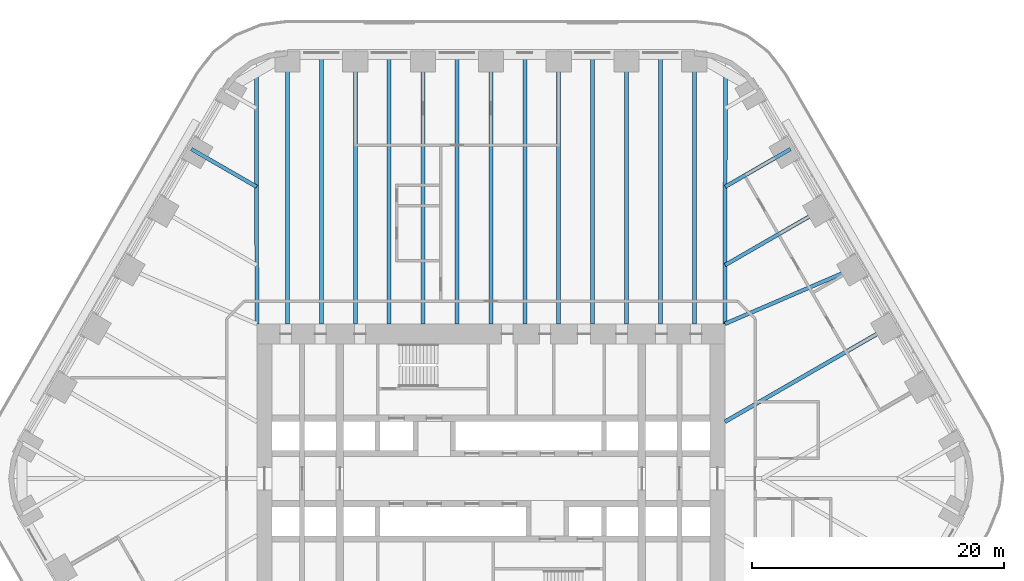
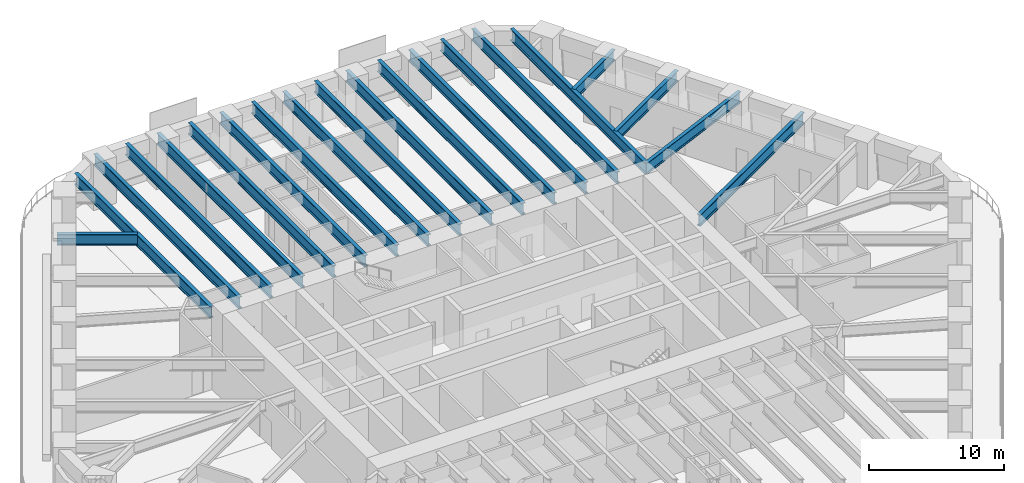
# One storey, part 10 of 24: 20 beams.
"""IFC4 building model written with IfcOpenShell, lengths in metres."""

import ifcopenshell
import ifcopenshell.guid

model = None  # the IFC model being written
_history = None  # IfcOwnerHistory: only IFC2X3 demands one
_inside = {}  # id of a spatial element -> (the spatial element, [elements in it])
_under = {}  # id of a project, library or spatial element -> (it, [spatial elements below it])
_declared = {}  # id of a project -> (the project, [libraries it declares])
_typed = {}  # id of a type object -> (the type object, [elements of that type])
_made_of = {}  # id of a material, layer set ... -> (it, [elements and type objects made of it])


def new_model(schema):
    """Start an empty IFC model of exactly this schema.

    Asked for "IFC4X3", IfcOpenShell would pick the latest addendum, in which some entities
    have other attributes; the version numbers below select the first issue.
    IFC2X3 requires an IfcOwnerHistory on every rooted entity: one is made here for all.
    """
    global model, _history
    if schema == "IFC4X3":
        model = ifcopenshell.file(schema_version=(4, 3, 0, 0))
    else:
        model = ifcopenshell.file(schema=schema)
    _inside.clear()
    _under.clear()
    _declared.clear()
    _typed.clear()
    _made_of.clear()
    _history = None
    if model.schema == "IFC2X3":
        org = make("IfcOrganization", Name="unknown")
        user = make(
            "IfcPersonAndOrganization",
            ThePerson=make("IfcPerson", FamilyName="unknown"),
            TheOrganization=org,
        )
        app = make(
            "IfcApplication",
            ApplicationDeveloper=org,
            Version="unknown",
            ApplicationFullName="unknown",
            ApplicationIdentifier="unknown",
        )
        _history = make(
            "IfcOwnerHistory",
            OwningUser=user,
            OwningApplication=app,
            ChangeAction="ADDED",
            CreationDate=0,
        )
    return model


def make(cls, **values):
    """One entity of the class cls with the attributes given. An attribute that is None is left unset."""
    return model.create_entity(
        cls, **{name: value for name, value in values.items() if value is not None}
    )


def rooted(cls, **values):
    """An entity with a GlobalId (a new one), such as an element, a storey or a relation."""
    return make(cls, GlobalId=ifcopenshell.guid.new(), OwnerHistory=_history, **values)


def si_unit(unit_type, name, prefix=None):
    """IfcSIUnit, for example si_unit("LENGTHUNIT", "METRE", prefix="MILLI")."""
    return make("IfcSIUnit", UnitType=unit_type, Prefix=prefix, Name=name)


def assignment(units):
    """IfcUnitAssignment: the units of a project."""
    return None if units is None else make("IfcUnitAssignment", Units=units)


def point(xyz):
    """IfcCartesianPoint."""
    return None if xyz is None else make("IfcCartesianPoint", Coordinates=xyz)


def direction(xyz):
    """IfcDirection."""
    return None if xyz is None else make("IfcDirection", DirectionRatios=xyz)


def frame(location, z_axis=None, x_axis=None):
    """IfcAxis2Placement3D, a coordinate frame: its origin and axes. An axis left out is left unset."""
    return make(
        "IfcAxis2Placement3D",
        Location=point(location),
        Axis=direction(z_axis),
        RefDirection=direction(x_axis),
    )


def frame_2d(location, x_axis=None):
    """IfcAxis2Placement2D, a coordinate frame in the plane: its origin and x axis."""
    return make(
        "IfcAxis2Placement2D", Location=point(location), RefDirection=direction(x_axis)
    )


def origin():
    """The frame at (0, 0, 0) with its axes left unset."""
    return frame((0.0, 0.0, 0.0))


def origin_2d():
    """The frame at (0, 0) in the plane with its x axis left unset."""
    return frame_2d((0.0, 0.0))


def place(relative_to, where):
    """IfcLocalPlacement: puts the frame where relative to a parent placement (None: the world)."""
    return make(
        "IfcLocalPlacement", PlacementRelTo=relative_to, RelativePlacement=where
    )


def context(
    kind, dimensions, precision=None, world=None, true_north=None, identifier=None
):
    """IfcGeometricRepresentationContext, for example the 3D "Model" context."""
    return make(
        "IfcGeometricRepresentationContext",
        ContextIdentifier=identifier,
        ContextType=kind,
        CoordinateSpaceDimension=dimensions,
        Precision=precision,
        WorldCoordinateSystem=world,
        TrueNorth=true_north,
    )


def subcontext(parent, identifier, kind, view, scale=None):
    """IfcGeometricRepresentationSubContext, for example "Body" below "Model"."""
    return make(
        "IfcGeometricRepresentationSubContext",
        ContextIdentifier=identifier,
        ContextType=kind,
        ParentContext=parent,
        TargetScale=scale,
        TargetView=view,
    )


def project(units=None, contexts=None):
    """IfcProject with its units and contexts."""
    return rooted(
        "IfcProject",
        Name="project",
        RepresentationContexts=contexts,
        UnitsInContext=assignment(units),
    )


def spatial(cls, under=None, at=None, **own):
    """A site, building, storey or space (cls), placed at a placement, below another one or the project."""
    s = rooted(cls, ObjectPlacement=at, **own)
    if under is not None:
        _under.setdefault(under.id(), (under, []))[1].append(s)
    return s


def profile(cls, at=None, kind="AREA", **sizes):
    """A parametric profile (cls). Its sizes go by their IFC names, for example OverallWidth=200.0."""
    return make(cls, ProfileType=kind, Position=at, **sizes)


def i_section(**sizes):
    """IfcIShapeProfileDef."""
    return profile("IfcIShapeProfileDef", **sizes)


def extrude(swept, where, along, depth):
    """IfcExtrudedAreaSolid: the profile swept, set in the frame where, extruded along a direction by depth."""
    return make(
        "IfcExtrudedAreaSolid",
        SweptArea=swept,
        Position=where,
        ExtrudedDirection=direction(along),
        Depth=depth,
    )


def shape(context_of_items, identifier, shape_type, items):
    """IfcShapeRepresentation: the items that make up one representation, for example the "Body"."""
    return make(
        "IfcShapeRepresentation",
        ContextOfItems=context_of_items,
        RepresentationIdentifier=identifier,
        RepresentationType=shape_type,
        Items=items,
    )


def material(Name=None, Category=None):
    """IfcMaterial."""
    return make("IfcMaterial", Name=Name, Category=Category)


def material_profile(
    of_material, cross_section, Name=None, Category=None, Priority=None
):
    """IfcMaterialProfile: a cross section and its material."""
    return make(
        "IfcMaterialProfile",
        Name=Name,
        Material=of_material,
        Profile=cross_section,
        Priority=Priority,
        Category=Category,
    )


def profile_set(profiles, Name=None, composite=None):
    """IfcMaterialProfileSet."""
    return make(
        "IfcMaterialProfileSet",
        Name=Name,
        MaterialProfiles=profiles,
        CompositeProfile=composite,
    )


def made_of(thing, what):
    """Note that an element or type object is made of a material, layer set ...; save() writes the relation."""
    if what is not None:
        _made_of.setdefault(what.id(), (what, []))[1].append(thing)
    return thing


def type_object(cls, material=None, **own):
    """A type object (cls), such as IfcWallType, which elements share."""
    return made_of(rooted(cls, **own), material)


def element(
    cls,
    number,
    at=None,
    inside=None,
    cuts=None,
    type_object=None,
    material=None,
    context=None,
    identifier="Body",
    shape_type=None,
    held_by="IfcProductDefinitionShape",
    body=None,
    shapes=None,
    **own,
):
    """One element of the class cls, such as IfcWall. Its Tag is "e" and its number.

    at: its placement. inside: the storey or other place that contains it. cuts: it is an
    opening in that element (IfcRelVoidsElement). A single representation is given by context,
    identifier, shape_type and body (its items); several are given by shapes. held_by: the class
    of the entity that holds the representations. save() writes the other relations.
    """
    e = rooted(cls, Tag="e%d" % number, ObjectPlacement=at, **own)
    if body is not None:
        shapes = [shape(context, identifier, shape_type, body)]
    if shapes is not None:
        e.Representation = make(held_by, Representations=shapes)
    if inside is not None:
        _inside.setdefault(inside.id(), (inside, []))[1].append(e)
    if cuts is not None:
        rooted(
            "IfcRelVoidsElement", RelatingBuildingElement=cuts, RelatedOpeningElement=e
        )
    if type_object is not None:
        _typed.setdefault(type_object.id(), (type_object, []))[1].append(e)
    return made_of(e, material)


def aggregate(whole, parts):
    """IfcRelAggregates: a whole, such as a stair, and the parts it consists of."""
    return rooted("IfcRelAggregates", RelatingObject=whole, RelatedObjects=parts)


def save(model, path):
    """Write the relations noted so far, then the file.

    IfcRelAggregates (storeys below a building ...), IfcRelContainedInSpatialStructure (elements
    in a storey), IfcRelDefinesByType, IfcRelAssociatesMaterial and IfcRelDeclares: one each for
    every whole, place, type object, material and project.
    """
    for whole, parts in _under.values():
        aggregate(whole, parts)
    for where, things in _inside.values():
        rooted(
            "IfcRelContainedInSpatialStructure",
            RelatedElements=things,
            RelatingStructure=where,
        )
    for kind, things in _typed.values():
        rooted("IfcRelDefinesByType", RelatedObjects=things, RelatingType=kind)
    for what, things in _made_of.values():
        rooted("IfcRelAssociatesMaterial", RelatedObjects=things, RelatingMaterial=what)
    for by, libraries in _declared.values():
        rooted("IfcRelDeclares", RelatingContext=by, RelatedDefinitions=libraries)
    model.write(path)


model = new_model("IFC4")

# Units and contexts
model_context = context("Model", 3, precision=1e-05, world=origin(), true_north=direction((0.0, 1.0)))
body_context = subcontext(model_context, "Body", "Model", "MODEL_VIEW")
ifc_project = project(units=[si_unit("LENGTHUNIT", "METRE"), si_unit("AREAUNIT", "SQUARE_METRE"), si_unit("VOLUMEUNIT", "CUBIC_METRE"), si_unit("PLANEANGLEUNIT", "RADIAN"), si_unit("MASSUNIT", "GRAM", prefix="KILO")], contexts=[model_context])

# Site, building, storey
site_placement = place(None, origin())
site = spatial("IfcSite", under=ifc_project, at=site_placement, CompositionType="ELEMENT")
building_placement = place(site_placement, origin())
building = spatial("IfcBuilding", under=site, at=building_placement, Name="Tarfa Lantern Tower", CompositionType="ELEMENT")
storey_placement = place(building_placement, frame((0.0, 0.0, 73.89990234375)))
storey = spatial("IfcBuildingStorey", under=building, at=storey_placement, Name="L16", CompositionType="ELEMENT", Elevation=73.89990234375)

# Beams
ifc_material = material(Name="Steel S460M", Category="steel")
ifc_material_profile_1 = material_profile(ifc_material, i_section(OverallWidth=0.302001953125, OverallDepth=1.008056640625, WebThickness=0.02099609375, FlangeThickness=0.0400390625, FilletRadius=0.030029296875, at=origin_2d()), Name="UB1016x305x349")
ifc_profile_set_1 = profile_set([ifc_material_profile_1], Name="Steel S460M")
beam_type_1 = type_object("IfcBeamType", Name="UB1016x305x349", PredefinedType="BEAM", material=ifc_profile_set_1)
beam_1_placement = place(storey_placement, frame((29.202392578125, 16.860107421875, 3.49609375), z_axis=(-0.918635483867, -0.395106122175, 0.0), x_axis=(0.395106122175, -0.918635483867, 0.0)))
element("IfcBeam", 1, at=beam_1_placement, inside=storey, type_object=beam_type_1, Name="Floor beam NE3", PredefinedType="BEAM", context=body_context, shape_type="SweptSolid", body=[
    extrude(i_section(OverallWidth=0.302001953125, OverallDepth=1.008056640625, WebThickness=0.02099609375, FlangeThickness=0.0400390625, FilletRadius=0.030029296875, at=origin_2d()), origin(), (0.0, 0.0, 1.0), 11.541259765625),
])
beam_2_placement = place(storey_placement, frame((26.508056640625, 21.526611328125, 3.49609375), z_axis=(-0.866035355799, -0.49998276221, 0.0), x_axis=(0.49998276221, -0.866035355799, 0.0)))
element("IfcBeam", 2, at=beam_2_placement, inside=storey, type_object=beam_type_1, Name="Floor beam NE4", PredefinedType="BEAM", context=body_context, shape_type="SweptSolid", body=[
    extrude(i_section(OverallWidth=0.302001953125, OverallDepth=1.008056640625, WebThickness=0.02099609375, FlangeThickness=0.0400390625, FilletRadius=0.030029296875, at=origin_2d()), origin(), (0.0, 0.0, 1.0), 9.119873046875),
])
for number, where, z_axis, x_axis, name in (
    (3, (23.813720703125, 26.193359375, 3.49609375), (-0.866015997389, -0.500016292001, 0.0), (0.500016292001, -0.866015997389, 0.0), "Floor beam NE5"),
    (4, (-23.813720703125, 26.193359375, 3.49609375), (0.866015997389, -0.500016292001, 0.0), (0.500016292001, 0.866015997389, 0.0), "Floor beam NW1"),
):
    element("IfcBeam", number, at=place(storey_placement, frame(where, z_axis=z_axis, x_axis=x_axis)), inside=storey, type_object=beam_type_1, Name=name, PredefinedType="BEAM", context=body_context, shape_type="SweptSolid", body=[
        extrude(i_section(OverallWidth=0.302001953125, OverallDepth=1.008056640625, WebThickness=0.02099609375, FlangeThickness=0.0400390625, FilletRadius=0.030029296875, at=origin_2d()), origin(), (0.0, 0.0, 1.0), 5.993408203125),
    ])
ifc_material_profile_2 = material_profile(ifc_material, i_section(OverallWidth=0.314208984375, OverallDepth=1.055908203125, WebThickness=0.035888671875, FlangeThickness=0.06396484375, FilletRadius=0.030029296875, at=origin_2d()), Name="UB1016x305x584")
ifc_profile_set_2 = profile_set([ifc_material_profile_2], Name="Steel S460M")
beam_type_2 = type_object("IfcBeamType", Name="UB1016x305x584", PredefinedType="BEAM", material=ifc_profile_set_2)
for number, where, z_axis, x_axis, name in (
    (5, (18.60009765625, 12.300048828125, 3.47216796875), (0.00212508222, 0.99999774201, 0.0), (-0.99999774201, 0.00212508222, 0.0), "Hip girder NE"),
    (6, (-18.60009765625, 12.300048828125, 3.47216796875), (-0.00212508222, 0.99999774201, 0.0), (-0.99999774201, -0.00212508222, 0.0), "Hip girder NW"),
):
    element("IfcBeam", number, at=place(storey_placement, frame(where, z_axis=z_axis, x_axis=x_axis)), inside=storey, type_object=beam_type_2, Name=name, PredefinedType="BEAM", context=body_context, shape_type="SweptSolid", body=[
        extrude(i_section(OverallWidth=0.314208984375, OverallDepth=1.055908203125, WebThickness=0.035888671875, FlangeThickness=0.06396484375, FilletRadius=0.030029296875, at=origin_2d()), origin(), (0.0, 0.0, 1.0), 19.989990234375),
    ])
beam_3_placement = place(storey_placement, frame((31.896728515625, 12.193359375, 3.47216796875), z_axis=(-0.866026971665, -0.499997284341, 0.0), x_axis=(0.499997284341, -0.866026971665, 0.0)))
element("IfcBeam", 7, at=beam_3_placement, inside=storey, type_object=beam_type_2, Name="Floor beam NE2", PredefinedType="BEAM", context=body_context, shape_type="SweptSolid", body=[
    extrude(i_section(OverallWidth=0.314208984375, OverallDepth=1.055908203125, WebThickness=0.035888671875, FlangeThickness=0.06396484375, FilletRadius=0.030029296875, at=origin_2d()), origin(), (0.0, 0.0, 1.0), 15.353515625),
])
for number, where, z_axis, x_axis, name in (
    (8, (16.165771484375, 33.719970703125, 3.47216796875), (0.0, -1.0, 0.0), (1.0, 0.0, 0.0), "Floor beam N0"),
    (9, (10.777099609375, 33.719970703125, 3.47216796875), (0.0, -1.0, 0.0), (1.0, 0.0, 0.0), "Floor beam N1"),
    (10, (5.388671875, 33.719970703125, 3.47216796875), (0.0, -1.0, 0.0), (1.0, 0.0, 0.0), "Floor beam N2"),
    (11, (0.0, 33.719970703125, 3.47216796875), (0.0, -1.0, 0.0), (1.0, 0.0, 0.0), "Floor beam N3"),
    (12, (-5.388671875, 33.719970703125, 3.47216796875), (0.0, -1.0, 0.0), (1.0, 0.0, 0.0), "Floor beam N4"),
    (13, (-10.777099609375, 33.719970703125, 3.47216796875), (0.0, -1.0, 0.0), (1.0, 0.0, 0.0), "Floor beam N5"),
    (14, (-16.165771484375, 33.719970703125, 3.47216796875), (0.0, -1.0, 0.0), (1.0, 0.0, 0.0), "Floor beam N6"),
    (15, (13.471435546875, 33.719970703125, 3.47216796875), (0.0, -1.0, 0.0), (1.0, 0.0, 0.0), "Floor beam N0M"),
    (16, (8.0830078125, 33.719970703125, 3.47216796875), (0.0, -1.0, 0.0), (1.0, 0.0, 0.0), "Floor beam N1M"),
    (17, (2.6943359375, 33.719970703125, 3.47216796875), (0.0, -1.0, 0.0), (1.0, 0.0, 0.0), "Floor beam N2M"),
    (18, (-2.6943359375, 33.719970703125, 3.47216796875), (0.0, -1.0, 0.0), (1.0, 0.0, 0.0), "Floor beam N3M"),
    (19, (-8.0830078125, 33.719970703125, 3.47216796875), (0.0, -1.0, 0.0), (1.0, 0.0, 0.0), "Floor beam N4M"),
    (20, (-13.471435546875, 33.719970703125, 3.47216796875), (0.0, -1.0, 0.0), (1.0, 0.0, 0.0), "Floor beam N5M"),
):
    element("IfcBeam", number, at=place(storey_placement, frame(where, z_axis=z_axis, x_axis=x_axis)), inside=storey, type_object=beam_type_2, Name=name, PredefinedType="BEAM", context=body_context, shape_type="SweptSolid", body=[
        extrude(i_section(OverallWidth=0.314208984375, OverallDepth=1.055908203125, WebThickness=0.035888671875, FlangeThickness=0.06396484375, FilletRadius=0.030029296875, at=origin_2d()), origin(), (0.0, 0.0, 1.0), 21.419921875),
    ])

save(model, "model.ifc")
